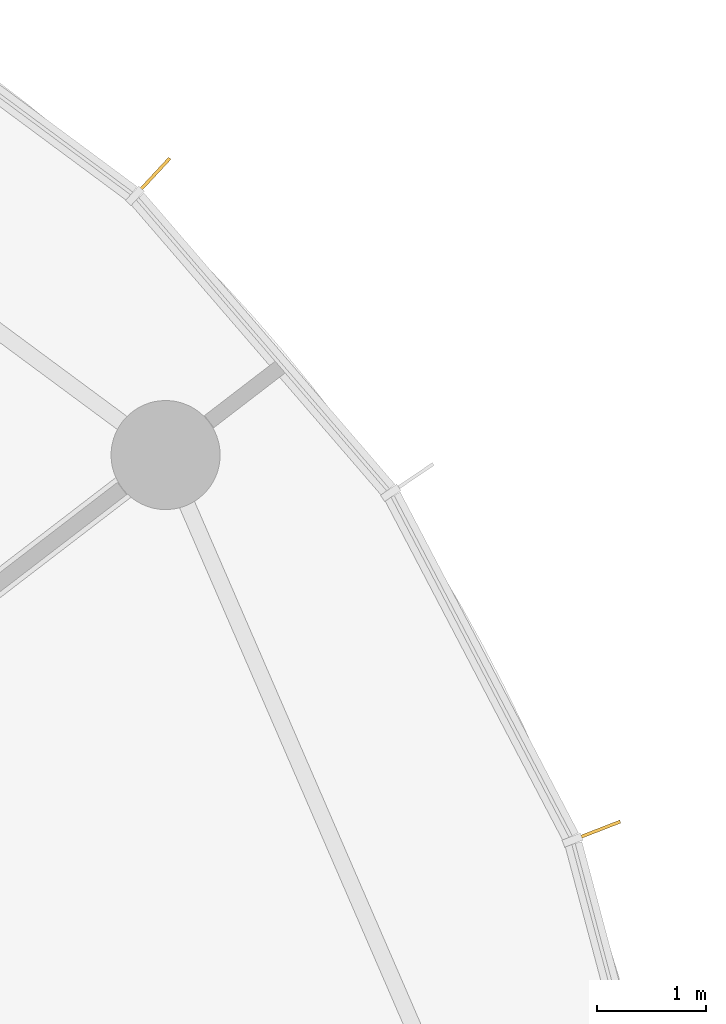
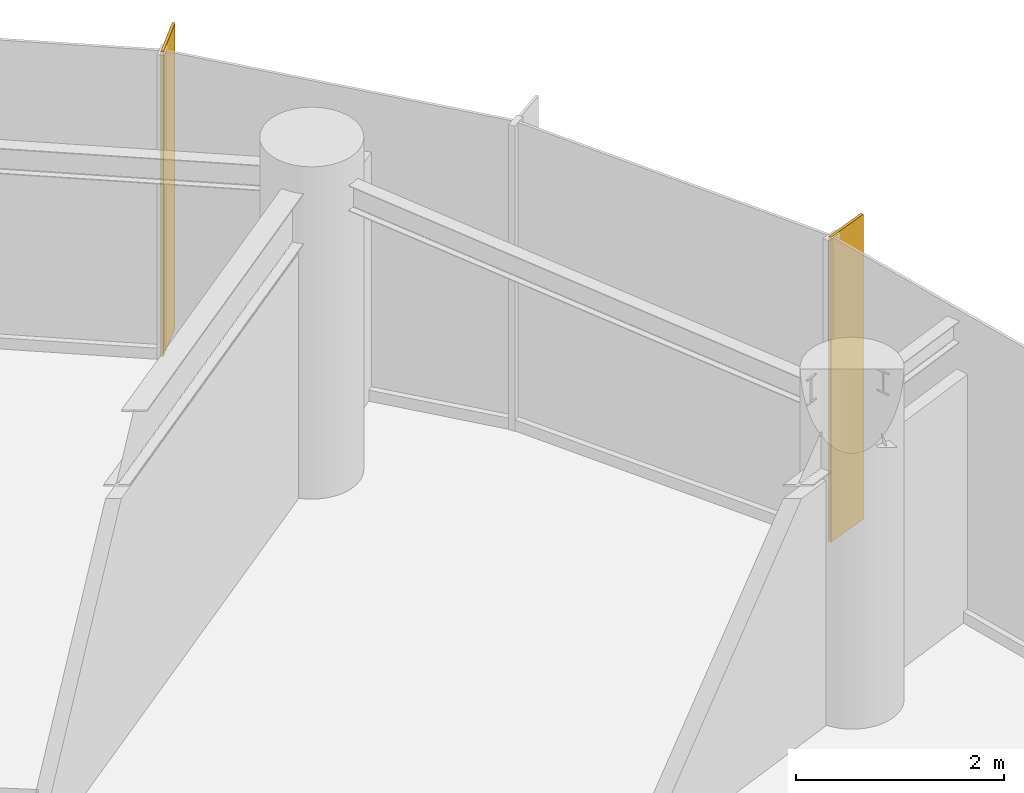
# One storey, part 14 of 14: 2 shading devices.
"""IFC4 building model written with IfcOpenShell, lengths in metres."""

from ifc_helpers import new_model, si_unit, direction, frame, origin, origin_2d, place, context, subcontext, project, spatial, rectangle, extrude, source, transform, mapped, material, material_profile, profile_set, type_object, element, save


model = new_model("IFC4")

# Units and contexts
model_context = context("Model", 3, precision=1e-05, world=origin(), true_north=direction((0.0, 1.0)))
body_context = subcontext(model_context, "Body", "Model", "MODEL_VIEW")
ifc_project = project(units=[si_unit("LENGTHUNIT", "METRE"), si_unit("AREAUNIT", "SQUARE_METRE"), si_unit("VOLUMEUNIT", "CUBIC_METRE"), si_unit("PLANEANGLEUNIT", "RADIAN"), si_unit("MASSUNIT", "GRAM", prefix="KILO")], contexts=[model_context])

# Site, building, storey
site_placement = place(None, origin())
site = spatial("IfcSite", under=ifc_project, at=site_placement, CompositionType="ELEMENT")
building_placement = place(site_placement, origin())
building = spatial("IfcBuilding", under=site, at=building_placement, Name="Spindrift Exchange Tower", CompositionType="ELEMENT")
storey_placement = place(building_placement, frame((0.0, 0.0, 144.800048828125)))
storey = spatial("IfcBuildingStorey", under=building, at=storey_placement, Name="L34", CompositionType="ELEMENT", Elevation=144.800048828125)

# Shading devices
ifc_material = material(Name="Bronze anodised aluminium", Category="aluminium")
ifc_material_profile = material_profile(ifc_material, rectangle(XDim=0.030029296875, YDim=0.5, at=origin_2d()), Name="WIND FIN 30X500")
ifc_profile_set = profile_set([ifc_material_profile], Name="Bronze anodised aluminium")
shading_device_type = type_object("IfcShadingDeviceType", Name="WIND FIN 30X500", PredefinedType="USERDEFINED", material=ifc_profile_set)
shared_shape = source(origin(), body_context, "Body", "SweptSolid", [
    extrude(rectangle(XDim=0.030029296875, YDim=0.5, at=origin_2d()), origin(), (0.0, 0.0, 1.0), 3.579833984375),
])
for number, where, z_axis, x_axis, name in (
    (1, (71.6943359375, 65.75146484375, 0.0), (0.0, 0.0, 1.0), (-0.732517948572, 0.680747717601, 0.0), "L34 wind fin 3"),
    (2, (75.762451171875, 59.761474609375, 0.0), (0.0, 0.0, 1.0), (-0.362695036874, 0.931907887201, 0.0), "L34 wind fin 4"),
):
    element("IfcShadingDevice", number, at=place(storey_placement, frame(where, z_axis=z_axis, x_axis=x_axis)), inside=storey, type_object=shading_device_type, Name=name, ObjectType="FIN", PredefinedType="USERDEFINED", context=body_context, shape_type="MappedRepresentation", body=[
        mapped(shared_shape, transform((0.0, 0.0, 0.0), scale=1.0)),
    ])

save(model, "model.ifc")
